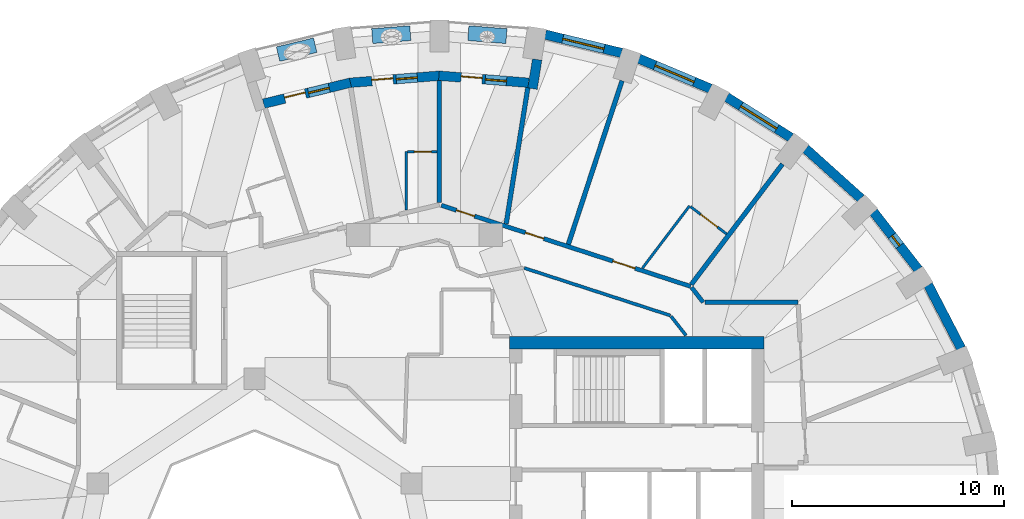
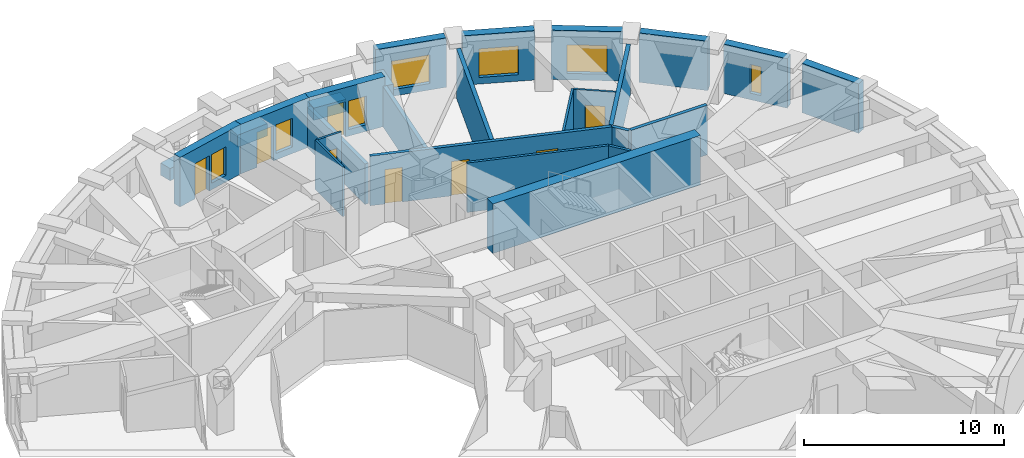
# One storey, part 8 of 12: 27 walls, 8 doors, 7 windows, 15 openings.
"""IFC4 building model written with IfcOpenShell, lengths in metres."""

from ifc_helpers import new_model, si_unit, direction, frame, frame_2d, origin, place, context, subcontext, project, spatial, rectangle, extrude, material, layer, layer_set, constituent, constituent_set, type_object, element, fill, save


model = new_model("IFC4")

# Units and contexts
model_context = context("Model", 3, precision=1e-05, world=origin(), true_north=direction((0.0, 1.0)))
body_context = subcontext(model_context, "Body", "Model", "MODEL_VIEW")
ifc_project = project(units=[si_unit("LENGTHUNIT", "METRE"), si_unit("AREAUNIT", "SQUARE_METRE"), si_unit("VOLUMEUNIT", "CUBIC_METRE"), si_unit("PLANEANGLEUNIT", "RADIAN"), si_unit("MASSUNIT", "GRAM", prefix="KILO")], contexts=[model_context])

# Site, building, storey
site_placement = place(None, origin())
site = spatial("IfcSite", under=ifc_project, at=site_placement, CompositionType="ELEMENT")
building_placement = place(site_placement, origin())
building = spatial("IfcBuilding", under=site, at=building_placement, Name="Taillehof Tower", CompositionType="ELEMENT")
storey_placement = place(building_placement, frame((0.0, 0.0, 218.89990234375)))
storey = spatial("IfcBuildingStorey", under=building, at=storey_placement, Name="L62", CompositionType="ELEMENT", Elevation=218.89990234375)

# Wall
ifc_material_1 = material(Name="Brick masonry", Category="masonry")
ifc_layer_1 = layer(ifc_material_1, 0.449951171875)
ifc_layer_set_1 = layer_set([ifc_layer_1], Name="Brick infill wall 450")
wall_type_1 = type_object("IfcWallType", Name="Brick infill wall 450", PredefinedType="SOLIDWALL", material=ifc_layer_set_1)
wall_1_placement = place(storey_placement, frame((25.278076171875, 9.431640625, 0.0), z_axis=(0.0, 0.0, 1.0), x_axis=(-0.460175500475, 0.887827972505, 0.0)))
element("IfcWall", 1, at=wall_1_placement, inside=storey, type_object=wall_type_1, Name="Brick wall L62 bay 3", PredefinedType="SOLIDWALL", context=body_context, shape_type="SweptSolid", body=[
    extrude(rectangle(XDim=3.37060546875, YDim=0.449951171875, at=frame_2d((1.685302734375, 0.0))), origin(), (0.0, 0.0, 1.0), 3.02001953125),
])

# Wall, opening, window
wall_2_placement = place(storey_placement, frame((23.262939453125, 13.148193359375, 0.0), z_axis=(0.0, 0.0, 1.0), x_axis=(-0.614220816451, 0.789134201919, 0.0)))
wall_2 = element("IfcWall", 2, at=wall_2_placement, inside=storey, type_object=wall_type_1, Name="Brick wall L62 bay 4", PredefinedType="SOLIDWALL", context=body_context, shape_type="SweptSolid", body=[
    extrude(rectangle(XDim=3.437744140625, YDim=0.449951171875, at=frame_2d((1.71875, 0.0))), origin(), (0.0, 0.0, 1.0), 3.02001953125),
])
opening_1_placement = place(wall_2_placement, frame((1.4189453125, 0.0, 0.39990234375)))
opening_1 = element("IfcOpeningElement", 3, at=opening_1_placement, cuts=wall_2, Name="Opening W6", PredefinedType="OPENING", context=body_context, shape_type="SweptSolid", body=[
    extrude(rectangle(XDim=0.60009765625, YDim=1.75, at=frame_2d((0.300048828125, 0.875))), frame((0.0, 0.23486328125, 0.0), z_axis=(0.0, -1.0, 0.0), x_axis=(1.0, 0.0, 0.0)), (0.0, 0.0, 1.0), 0.469970703125),
])
ifc_material_2 = material(Name="Aluminium window frame with clear double glazing", Category="aluminium")
window_type_1 = type_object("IfcWindowType", Name="Slot window 600x1750", PartitioningType="SINGLE_PANEL", PredefinedType="WINDOW", material=ifc_material_2)
window_1_placement = place(opening_1_placement, origin())
window_1 = element("IfcWindow", 4, at=window_1_placement, inside=storey, type_object=window_type_1, Name="W6", OverallHeight=1.75, OverallWidth=0.60009765625, PartitioningType="SINGLE_PANEL", PredefinedType="WINDOW", context=body_context, shape_type="SweptSolid", body=[
    extrude(rectangle(XDim=0.60009765625, YDim=1.75, at=frame_2d((0.300048828125, 0.875))), frame((0.0, 0.034912109375, 0.0), z_axis=(0.0, -1.0, 0.0), x_axis=(1.0, 0.0, 0.0)), (0.0, 0.0, 1.0), 0.06005859375),
])
fill(opening_1, window_1)

# Wall
wall_3_placement = place(storey_placement, frame((20.56494140625, 16.490478515625, 0.0), z_axis=(0.0, 0.0, 1.0), x_axis=(-0.743442727602, 0.668799604348, 0.0)))
element("IfcWall", 5, at=wall_3_placement, inside=storey, type_object=wall_type_1, Name="Brick wall L62 bay 5", PredefinedType="SOLIDWALL", context=body_context, shape_type="SweptSolid", body=[
    extrude(rectangle(XDim=3.5126953125, YDim=0.449951171875, at=frame_2d((1.75634765625, 0.0))), origin(), (0.0, 0.0, 1.0), 3.02001953125),
])

# Wall, opening, window
wall_4_placement = place(storey_placement, frame((17.26708984375, 19.3583984375, 0.0), z_axis=(0.0, 0.0, 1.0), x_axis=(-0.846119146727, 0.532993798783, 0.0)))
wall_4 = element("IfcWall", 6, at=wall_4_placement, inside=storey, type_object=wall_type_1, Name="Brick wall L62 bay 6", PredefinedType="SOLIDWALL", context=body_context, shape_type="SweptSolid", body=[
    extrude(rectangle(XDim=3.586669921875, YDim=0.449951171875, at=frame_2d((1.79345703125, 0.0))), origin(), (0.0, 0.0, 1.0), 3.02001953125),
])
opening_2_placement = place(wall_4_placement, frame((0.79345703125, 0.0, 0.39990234375)))
opening_2 = element("IfcOpeningElement", 7, at=opening_2_placement, cuts=wall_4, Name="Opening W2", PredefinedType="OPENING", context=body_context, shape_type="SweptSolid", body=[
    extrude(rectangle(XDim=2.0, YDim=1.75, at=frame_2d((1.0, 0.875))), frame((0.0, 0.23486328125, 0.0), z_axis=(0.0, -1.0, 0.0), x_axis=(1.0, 0.0, 0.0)), (0.0, 0.0, 1.0), 0.469970703125),
])
ifc_material_3 = material(Name="Aluminium window frame with clear double glazing", Category="aluminium")
window_type_2 = type_object("IfcWindowType", Name="Deep-set window 2000x1750", PartitioningType="SINGLE_PANEL", PredefinedType="WINDOW", material=ifc_material_3)
window_2_placement = place(opening_2_placement, origin())
window_2 = element("IfcWindow", 8, at=window_2_placement, inside=storey, type_object=window_type_2, Name="W2", OverallHeight=1.75, OverallWidth=2.0, PartitioningType="SINGLE_PANEL", PredefinedType="WINDOW", context=body_context, shape_type="SweptSolid", body=[
    extrude(rectangle(XDim=2.0, YDim=1.75, at=frame_2d((1.0, 0.875))), frame((0.0, 0.034912109375, 0.0), z_axis=(0.0, -1.0, 0.0), x_axis=(1.0, 0.0, 0.0)), (0.0, 0.0, 1.0), 0.06005859375),
])
fill(opening_2, window_2)

wall_5_placement = place(storey_placement, frame((13.46923828125, 21.6669921875, 0.0), z_axis=(0.0, 0.0, 1.0), x_axis=(-0.922168222612, 0.386789050006, 0.0)))
wall_5 = element("IfcWall", 9, at=wall_5_placement, inside=storey, type_object=wall_type_1, Name="Brick wall L62 bay 7", PredefinedType="SOLIDWALL", context=body_context, shape_type="SweptSolid", body=[
    extrude(rectangle(XDim=3.65087890625, YDim=0.449951171875, at=frame_2d((1.825439453125, 0.0))), origin(), (0.0, 0.0, 1.0), 3.02001953125),
])
opening_3_placement = place(wall_5_placement, frame((0.825439453125, 0.0, 0.39990234375)))
opening_3 = element("IfcOpeningElement", 10, at=opening_3_placement, cuts=wall_5, Name="Opening W2", PredefinedType="OPENING", context=body_context, shape_type="SweptSolid", body=[
    extrude(rectangle(XDim=2.0, YDim=1.75, at=frame_2d((1.0, 0.875))), frame((0.0, 0.23486328125, 0.0), z_axis=(0.0, -1.0, 0.0), x_axis=(1.0, 0.0, 0.0)), (0.0, 0.0, 1.0), 0.469970703125),
])
window_3_placement = place(opening_3_placement, origin())
window_3 = element("IfcWindow", 11, at=window_3_placement, inside=storey, type_object=window_type_2, Name="W2", OverallHeight=1.75, OverallWidth=2.0, PartitioningType="SINGLE_PANEL", PredefinedType="WINDOW", context=body_context, shape_type="SweptSolid", body=[
    extrude(rectangle(XDim=2.0, YDim=1.75, at=frame_2d((1.0, 0.875))), frame((0.0, 0.034912109375, 0.0), z_axis=(0.0, -1.0, 0.0), x_axis=(1.0, 0.0, 0.0)), (0.0, 0.0, 1.0), 0.06005859375),
])
fill(opening_3, window_3)

wall_6_placement = place(storey_placement, frame((9.285400390625, 23.34716796875, 0.0), z_axis=(0.0, 0.0, 1.0), x_axis=(-0.972173533246, 0.234261864708, 0.0)))
wall_6 = element("IfcWall", 12, at=wall_6_placement, inside=storey, type_object=wall_type_1, Name="Brick wall L62 bay 8", PredefinedType="SOLIDWALL", context=body_context, shape_type="SweptSolid", body=[
    extrude(rectangle(XDim=3.697509765625, YDim=0.449951171875, at=frame_2d((1.8486328125, 0.0))), origin(), (0.0, 0.0, 1.0), 3.02001953125),
])
opening_4_placement = place(wall_6_placement, frame((0.848876953125, 0.0, 0.39990234375)))
opening_4 = element("IfcOpeningElement", 13, at=opening_4_placement, cuts=wall_6, Name="Opening W2", PredefinedType="OPENING", context=body_context, shape_type="SweptSolid", body=[
    extrude(rectangle(XDim=2.0, YDim=1.75, at=frame_2d((1.0, 0.875))), frame((0.0, 0.23486328125, 0.0), z_axis=(0.0, -1.0, 0.0), x_axis=(1.0, 0.0, 0.0)), (0.0, 0.0, 1.0), 0.469970703125),
])
window_4_placement = place(opening_4_placement, origin())
window_4 = element("IfcWindow", 14, at=window_4_placement, inside=storey, type_object=window_type_2, Name="W2", OverallHeight=1.75, OverallWidth=2.0, PartitioningType="SINGLE_PANEL", PredefinedType="WINDOW", context=body_context, shape_type="SweptSolid", body=[
    extrude(rectangle(XDim=2.0, YDim=1.75, at=frame_2d((1.0, 0.875))), frame((0.0, 0.034912109375, 0.0), z_axis=(0.0, -1.0, 0.0), x_axis=(1.0, 0.0, 0.0)), (0.0, 0.0, 1.0), 0.06005859375),
])
fill(opening_4, window_4)

# Wall
wall_7_placement = place(storey_placement, frame((5.308837890625, 23.03857421875, 0.0), z_axis=(0.0, 0.0, 1.0), x_axis=(-0.157189016474, -0.9875685359, 0.0)))
element("IfcWall", 15, at=wall_7_placement, inside=storey, type_object=wall_type_1, Name="Brick reveal L62 pocket 2", PredefinedType="SOLIDWALL", context=body_context, shape_type="SweptSolid", body=[
    extrude(rectangle(XDim=1.39013671875, YDim=0.449951171875, at=frame_2d((0.695068359375, 0.0))), origin(), (0.0, 0.0, 1.0), 2.47021484375),
])

# Wall, openings, door, window
wall_8_placement = place(storey_placement, frame((4.906494140625, 21.9423828125, 0.0), z_axis=(0.0, 0.0, 1.0), x_axis=(-0.996902429846, 0.078648238166, 0.0)))
wall_8 = element("IfcWall", 16, at=wall_8_placement, inside=storey, type_object=wall_type_1, Name="Brick wall L62 pocket bay 9", PredefinedType="SOLIDWALL", context=body_context, shape_type="SweptSolid", body=[
    extrude(rectangle(XDim=4.2373046875, YDim=0.449951171875, at=frame_2d((2.11865234375, 0.0))), origin(), (0.0, 0.0, 1.0), 3.02001953125),
])
opening_5_placement = place(wall_8_placement, frame((1.043701171875, 0.0, 0.39990234375)))
opening_5 = element("IfcOpeningElement", 17, at=opening_5_placement, cuts=wall_8, Name="Opening W5", PredefinedType="OPENING", context=body_context, shape_type="SweptSolid", body=[
    extrude(rectangle(XDim=1.0, YDim=1.75, at=frame_2d((0.5, 0.875))), frame((0.0, 0.23486328125, 0.0), z_axis=(0.0, -1.0, 0.0), x_axis=(1.0, 0.0, 0.0)), (0.0, 0.0, 1.0), 0.469970703125),
])
opening_6_placement = place(wall_8_placement, frame((2.193603515625, 0.0, 0.0)))
opening_6 = element("IfcOpeningElement", 18, at=opening_6_placement, cuts=wall_8, Name="Opening D6291", PredefinedType="OPENING", context=body_context, shape_type="SweptSolid", body=[
    extrude(rectangle(XDim=1.0, YDim=2.14990234375, at=frame_2d((0.5, 1.074951171875))), frame((0.0, 0.23486328125, 0.0), z_axis=(0.0, -1.0, 0.0), x_axis=(1.0, 0.0, 0.0)), (0.0, 0.0, 1.0), 0.469970703125),
])
ifc_material_4 = material(Name="Aluminium door frame with clear double glazing", Category="aluminium")
door_type_1 = type_object("IfcDoorType", Name="Balcony door 1000x2150", OperationType="SINGLE_SWING_RIGHT", PredefinedType="DOOR", material=ifc_material_4)
door_1_placement = place(opening_6_placement, frame((1.0, 0.0, 0.0), z_axis=(0.0, 0.0, 1.0), x_axis=(-1.0, 0.0, 0.0)))
door_1 = element("IfcDoor", 19, at=door_1_placement, inside=storey, type_object=door_type_1, Name="Balcony door L62 bay 9", OperationType="SINGLE_SWING_RIGHT", OverallHeight=2.14990234375, OverallWidth=1.0, PredefinedType="DOOR", context=body_context, shape_type="SweptSolid", body=[
    extrude(rectangle(XDim=1.0, YDim=2.14990234375, at=frame_2d((0.5, 1.074951171875))), frame((0.0, 0.0751953125, 0.0), z_axis=(0.0, -1.0, 0.0), x_axis=(1.0, 0.0, 0.0)), (0.0, 0.0, 1.0), 0.050048828125),
])
fill(opening_6, door_1)
ifc_material_5 = material(Name="Aluminium window frame with clear double glazing", Category="aluminium")
window_type_3 = type_object("IfcWindowType", Name="Fixed window 1000x1750", PartitioningType="SINGLE_PANEL", PredefinedType="WINDOW", material=ifc_material_5)
window_5_placement = place(opening_5_placement, origin())
window_5 = element("IfcWindow", 20, at=window_5_placement, inside=storey, type_object=window_type_3, Name="W5", OverallHeight=1.75, OverallWidth=1.0, PartitioningType="SINGLE_PANEL", PredefinedType="WINDOW", context=body_context, shape_type="SweptSolid", body=[
    extrude(rectangle(XDim=1.0, YDim=1.75, at=frame_2d((0.5, 0.875))), frame((0.0, 0.034912109375, 0.0), z_axis=(0.0, -1.0, 0.0), x_axis=(1.0, 0.0, 0.0)), (0.0, 0.0, 1.0), 0.06005859375),
])
fill(opening_5, window_5)

wall_9_placement = place(storey_placement, frame((0.7177734375, 22.275634765625, 0.0), z_axis=(0.0, 0.0, 1.0), x_axis=(-0.996901346333, -0.078661970983, 0.0)))
wall_9 = element("IfcWall", 21, at=wall_9_placement, inside=storey, type_object=wall_type_1, Name="Brick wall L62 pocket bay 10", PredefinedType="SOLIDWALL", context=body_context, shape_type="SweptSolid", body=[
    extrude(rectangle(XDim=4.255126953125, YDim=0.449951171875, at=frame_2d((2.12744140625, 0.0))), origin(), (0.0, 0.0, 1.0), 3.02001953125),
])
opening_7_placement = place(wall_9_placement, frame((1.052490234375, 0.0, 0.39990234375)))
opening_7 = element("IfcOpeningElement", 22, at=opening_7_placement, cuts=wall_9, Name="Opening W5", PredefinedType="OPENING", context=body_context, shape_type="SweptSolid", body=[
    extrude(rectangle(XDim=1.0, YDim=1.75, at=frame_2d((0.5, 0.875))), frame((0.0, 0.23486328125, 0.0), z_axis=(0.0, -1.0, 0.0), x_axis=(1.0, 0.0, 0.0)), (0.0, 0.0, 1.0), 0.469970703125),
])
opening_8_placement = place(wall_9_placement, frame((2.20263671875, 0.0, 0.0)))
opening_8 = element("IfcOpeningElement", 23, at=opening_8_placement, cuts=wall_9, Name="Opening D6292", PredefinedType="OPENING", context=body_context, shape_type="SweptSolid", body=[
    extrude(rectangle(XDim=1.0, YDim=2.14990234375, at=frame_2d((0.5, 1.074951171875))), frame((0.0, 0.23486328125, 0.0), z_axis=(0.0, -1.0, 0.0), x_axis=(1.0, 0.0, 0.0)), (0.0, 0.0, 1.0), 0.469970703125),
])
door_2_placement = place(opening_8_placement, frame((1.0, 0.0, 0.0), z_axis=(0.0, 0.0, 1.0), x_axis=(-1.0, 0.0, 0.0)))
door_2 = element("IfcDoor", 24, at=door_2_placement, inside=storey, type_object=door_type_1, Name="Balcony door L62 bay 10", OperationType="SINGLE_SWING_LEFT", OverallHeight=2.14990234375, OverallWidth=1.0, PredefinedType="DOOR", context=body_context, shape_type="SweptSolid", body=[
    extrude(rectangle(XDim=1.0, YDim=2.14990234375, at=frame_2d((0.5, 1.074951171875))), frame((0.0, 0.0751953125, 0.0), z_axis=(0.0, -1.0, 0.0), x_axis=(1.0, 0.0, 0.0)), (0.0, 0.0, 1.0), 0.050048828125),
])
fill(opening_8, door_2)
window_6_placement = place(opening_7_placement, origin())
window_6 = element("IfcWindow", 25, at=window_6_placement, inside=storey, type_object=window_type_3, Name="W5", OverallHeight=1.75, OverallWidth=1.0, PartitioningType="SINGLE_PANEL", PredefinedType="WINDOW", context=body_context, shape_type="SweptSolid", body=[
    extrude(rectangle(XDim=1.0, YDim=1.75, at=frame_2d((0.5, 0.875))), frame((0.0, 0.034912109375, 0.0), z_axis=(0.0, -1.0, 0.0), x_axis=(1.0, 0.0, 0.0)), (0.0, 0.0, 1.0), 0.06005859375),
])
fill(opening_7, window_6)

wall_10_placement = place(storey_placement, frame((-3.489013671875, 21.946533203125, 0.0), z_axis=(0.0, 0.0, 1.0), x_axis=(-0.972007311035, -0.234950606076, 0.0)))
wall_10 = element("IfcWall", 26, at=wall_10_placement, inside=storey, type_object=wall_type_1, Name="Brick wall L62 pocket bay 11", PredefinedType="SOLIDWALL", context=body_context, shape_type="SweptSolid", body=[
    extrude(rectangle(XDim=4.207275390625, YDim=0.449951171875, at=frame_2d((2.103515625, 0.0))), origin(), (0.0, 0.0, 1.0), 3.02001953125),
])
opening_9_placement = place(wall_10_placement, frame((1.028564453125, 0.0, 0.39990234375)))
opening_9 = element("IfcOpeningElement", 27, at=opening_9_placement, cuts=wall_10, Name="Opening W5", PredefinedType="OPENING", context=body_context, shape_type="SweptSolid", body=[
    extrude(rectangle(XDim=1.0, YDim=1.75, at=frame_2d((0.5, 0.875))), frame((0.0, 0.23486328125, 0.0), z_axis=(0.0, -1.0, 0.0), x_axis=(1.0, 0.0, 0.0)), (0.0, 0.0, 1.0), 0.469970703125),
])
opening_10_placement = place(wall_10_placement, frame((2.1787109375, 0.0, 0.0)))
opening_10 = element("IfcOpeningElement", 28, at=opening_10_placement, cuts=wall_10, Name="Opening D6293", PredefinedType="OPENING", context=body_context, shape_type="SweptSolid", body=[
    extrude(rectangle(XDim=1.0, YDim=2.14990234375, at=frame_2d((0.5, 1.074951171875))), frame((0.0, 0.23486328125, 0.0), z_axis=(0.0, -1.0, 0.0), x_axis=(1.0, 0.0, 0.0)), (0.0, 0.0, 1.0), 0.469970703125),
])
door_3_placement = place(opening_10_placement, frame((1.0, 0.0, 0.0), z_axis=(0.0, 0.0, 1.0), x_axis=(-1.0, 0.0, 0.0)))
door_3 = element("IfcDoor", 29, at=door_3_placement, inside=storey, type_object=door_type_1, Name="Balcony door L62 bay 11", OperationType="SINGLE_SWING_LEFT", OverallHeight=2.14990234375, OverallWidth=1.0, PredefinedType="DOOR", context=body_context, shape_type="SweptSolid", body=[
    extrude(rectangle(XDim=1.0, YDim=2.14990234375, at=frame_2d((0.5, 1.074951171875))), frame((0.0, 0.0751953125, 0.0), z_axis=(0.0, -1.0, 0.0), x_axis=(1.0, 0.0, 0.0)), (0.0, 0.0, 1.0), 0.050048828125),
])
fill(opening_10, door_3)
window_7_placement = place(opening_9_placement, origin())
window_7 = element("IfcWindow", 30, at=window_7_placement, inside=storey, type_object=window_type_3, Name="W5", OverallHeight=1.75, OverallWidth=1.0, PartitioningType="SINGLE_PANEL", PredefinedType="WINDOW", context=body_context, shape_type="SweptSolid", body=[
    extrude(rectangle(XDim=1.0, YDim=1.75, at=frame_2d((0.5, 0.875))), frame((0.0, 0.034912109375, 0.0), z_axis=(0.0, -1.0, 0.0), x_axis=(1.0, 0.0, 0.0)), (0.0, 0.0, 1.0), 0.06005859375),
])
fill(opening_9, window_7)

# Wall, openings, doors
ifc_material_6 = material(Name="Gypsum board on steel studs, two layers each side", Category="steel")
ifc_layer_2 = layer(ifc_material_6, 0.199951171875)
ifc_layer_set_2 = layer_set([ifc_layer_2], Name="Compartment wall corridor 200")
wall_type_2 = type_object("IfcWallType", Name="Compartment wall corridor 200", PredefinedType="PARTITIONING", material=ifc_layer_set_2)
wall_11_placement = place(storey_placement, frame((0.795166015625, 16.16943359375, 0.0), z_axis=(0.0, 0.0, 1.0), x_axis=(0.950998491074, -0.309195520626, 0.0)))
wall_11 = element("IfcWall", 31, at=wall_11_placement, inside=storey, type_object=wall_type_2, Name="Compartment wall", PredefinedType="PARTITIONING", context=body_context, shape_type="SweptSolid", body=[
    extrude(rectangle(XDim=12.357177734375, YDim=0.199951171875, at=frame_2d((6.1787109375, 0.0))), origin(), (0.0, 0.0, 1.0), 3.02001953125),
])
opening_11_placement = place(wall_11_placement, frame((8.49560546875, 0.0, 0.0)))
opening_11 = element("IfcOpeningElement", 32, at=opening_11_placement, cuts=wall_11, Name="Opening D6240", PredefinedType="OPENING", context=body_context, shape_type="SweptSolid", body=[
    extrude(rectangle(XDim=1.10009765625, YDim=2.10009765625, at=frame_2d((0.550048828125, 1.050048828125))), frame((0.0, 0.10986328125, 0.0), z_axis=(0.0, -1.0, 0.0), x_axis=(1.0, 0.0, 0.0)), (0.0, 0.0, 1.0), 0.219970703125),
])
opening_12_placement = place(wall_11_placement, frame((4.1689453125, 0.0, 0.0)))
opening_12 = element("IfcOpeningElement", 33, at=opening_12_placement, cuts=wall_11, Name="Opening D6242", PredefinedType="OPENING", context=body_context, shape_type="SweptSolid", body=[
    extrude(rectangle(XDim=0.89990234375, YDim=2.10009765625, at=frame_2d((0.449951171875, 1.050048828125))), frame((0.0, 0.10986328125, 0.0), z_axis=(0.0, -1.0, 0.0), x_axis=(1.0, 0.0, 0.0)), (0.0, 0.0, 1.0), 0.219970703125),
])
opening_13_placement = place(wall_11_placement, frame((0.746826171875, 0.0, 0.0)))
opening_13 = element("IfcOpeningElement", 34, at=opening_13_placement, cuts=wall_11, Name="Opening D6243", PredefinedType="OPENING", context=body_context, shape_type="SweptSolid", body=[
    extrude(rectangle(XDim=0.89990234375, YDim=2.10009765625, at=frame_2d((0.449951171875, 1.050048828125))), frame((0.0, 0.10986328125, 0.0), z_axis=(0.0, -1.0, 0.0), x_axis=(1.0, 0.0, 0.0)), (0.0, 0.0, 1.0), 0.219970703125),
])
ifc_material_7 = material(Name="Timber door leaf in steel frame", Category="steel")
door_type_2 = type_object("IfcDoorType", Name="Accessible guest room door EI 30 1100 x 2100", OperationType="SINGLE_SWING_LEFT", PredefinedType="DOOR", material=ifc_material_7)
door_4_placement = place(opening_11_placement, origin())
door_4 = element("IfcDoor", 35, at=door_4_placement, inside=storey, type_object=door_type_2, Name="D6240", OperationType="SINGLE_SWING_RIGHT", OverallHeight=2.10009765625, OverallWidth=1.10009765625, PredefinedType="DOOR", context=body_context, shape_type="SweptSolid", body=[
    extrude(rectangle(XDim=1.10009765625, YDim=2.10009765625, at=frame_2d((0.550048828125, 1.050048828125))), frame((0.0, 0.02490234375, 0.0), z_axis=(0.0, -1.0, 0.0), x_axis=(1.0, 0.0, 0.0)), (0.0, 0.0, 1.0), 0.050048828125),
])
fill(opening_11, door_4)
ifc_material_8 = material(Name="Timber door leaf in steel frame", Category="steel")
door_type_3 = type_object("IfcDoorType", Name="Service room door EI 30 900 x 2100", OperationType="SINGLE_SWING_LEFT", PredefinedType="DOOR", material=ifc_material_8)
door_5_placement = place(opening_12_placement, origin())
door_5 = element("IfcDoor", 36, at=door_5_placement, inside=storey, type_object=door_type_3, Name="D6242", OperationType="SINGLE_SWING_LEFT", OverallHeight=2.10009765625, OverallWidth=0.89990234375, PredefinedType="DOOR", context=body_context, shape_type="SweptSolid", body=[
    extrude(rectangle(XDim=0.89990234375, YDim=2.10009765625, at=frame_2d((0.449951171875, 1.050048828125))), frame((0.0, 0.02490234375, 0.0), z_axis=(0.0, -1.0, 0.0), x_axis=(1.0, 0.0, 0.0)), (0.0, 0.0, 1.0), 0.050048828125),
])
fill(opening_12, door_5)
door_6_placement = place(opening_13_placement, origin())
door_6 = element("IfcDoor", 37, at=door_6_placement, inside=storey, type_object=door_type_3, Name="D6243", OperationType="SINGLE_SWING_LEFT", OverallHeight=2.10009765625, OverallWidth=0.89990234375, PredefinedType="DOOR", context=body_context, shape_type="SweptSolid", body=[
    extrude(rectangle(XDim=0.89990234375, YDim=2.10009765625, at=frame_2d((0.449951171875, 1.050048828125))), frame((0.0, 0.02490234375, 0.0), z_axis=(0.0, -1.0, 0.0), x_axis=(1.0, 0.0, 0.0)), (0.0, 0.0, 1.0), 0.050048828125),
])
fill(opening_13, door_6)

# Walls
wall_12_placement = place(storey_placement, frame((12.58349609375, 12.301025390625, 0.0), z_axis=(0.0, 0.0, 1.0), x_axis=(0.616670471626, -0.787221397972, 0.0)))
element("IfcWall", 38, at=wall_12_placement, inside=storey, type_object=wall_type_2, Name="Compartment wall", PredefinedType="PARTITIONING", context=body_context, shape_type="SweptSolid", body=[
    extrude(rectangle(XDim=0.890380859375, YDim=0.199951171875, at=frame_2d((0.4453125, 0.0))), origin(), (0.0, 0.0, 1.0), 3.02001953125),
])
wall_13_placement = place(storey_placement, frame((13.212646484375, 11.60009765625, 0.0), z_axis=(0.0, 0.0, 1.0), x_axis=(1.0, 0.0, 0.0)))
element("IfcWall", 39, at=wall_13_placement, inside=storey, type_object=wall_type_2, Name="Compartment wall", PredefinedType="PARTITIONING", context=body_context, shape_type="SweptSolid", body=[
    extrude(rectangle(XDim=4.387451171875, YDim=0.199951171875, at=frame_2d((2.19384765625, 0.0))), origin(), (0.0, 0.0, 1.0), 3.02001953125),
])
ifc_material_9 = material(Name="Gypsum board on double steel studs with mineral wool", Category="steel")
ifc_layer_3 = layer(ifc_material_9, 0.219970703125)
ifc_layer_set_3 = layer_set([ifc_layer_3], Name="Compartment wall guest room 220")
wall_type_3 = type_object("IfcWallType", Name="Compartment wall guest room 220", PredefinedType="PARTITIONING", material=ifc_layer_set_3)
wall_14_placement = place(storey_placement, frame((16.86328125, 18.112548828125, 0.0), z_axis=(0.0, 0.0, 1.0), x_axis=(-0.603604387564, -0.79728397909, 0.0)))
element("IfcWall", 40, at=wall_14_placement, inside=storey, type_object=wall_type_3, Name="Compartment wall", PredefinedType="PARTITIONING", context=body_context, shape_type="SweptSolid", body=[
    extrude(rectangle(XDim=7.108154296875, YDim=0.219970703125, at=frame_2d((3.55419921875, 0.0))), origin(), (0.0, 0.0, 1.0), 3.02001953125),
])
wall_15_placement = place(storey_placement, frame((9.30712890625, 22.035400390625, 0.0), z_axis=(0.0, 0.0, 1.0), x_axis=(-0.311971255232, -0.950091540805, 0.0)))
element("IfcWall", 41, at=wall_15_placement, inside=storey, type_object=wall_type_3, Name="Compartment wall", PredefinedType="PARTITIONING", context=body_context, shape_type="SweptSolid", body=[
    extrude(rectangle(XDim=8.110595703125, YDim=0.219970703125, at=frame_2d((4.05517578125, 0.0))), origin(), (0.0, 0.0, 1.0), 3.02001953125),
])
wall_16_placement = place(storey_placement, frame((4.87109375, 21.719482421875, 0.0), z_axis=(0.0, 0.0, 1.0), x_axis=(-0.157114215968, -0.98758043882, 0.0)))
element("IfcWall", 42, at=wall_16_placement, inside=storey, type_object=wall_type_3, Name="Compartment wall", PredefinedType="PARTITIONING", context=body_context, shape_type="SweptSolid", body=[
    extrude(rectangle(XDim=6.49853515625, YDim=0.219970703125, at=frame_2d((3.249267578125, 0.0))), origin(), (0.0, 0.0, 1.0), 2.47021484375),
])
wall_17_placement = place(storey_placement, frame((0.699951171875, 22.048583984375, 0.0), z_axis=(0.0, 0.0, 1.0), x_axis=(0.0, -1.0, 0.0)))
element("IfcWall", 43, at=wall_17_placement, inside=storey, type_object=wall_type_3, Name="Compartment wall", PredefinedType="PARTITIONING", context=body_context, shape_type="SweptSolid", body=[
    extrude(rectangle(XDim=5.74853515625, YDim=0.219970703125, at=frame_2d((2.874267578125, 0.0))), origin(), (0.0, 0.0, 1.0), 2.47021484375),
])
ifc_material_10 = material(Name="Gypsum board on steel studs, two layers each side", Category="steel")
ifc_layer_4 = layer(ifc_material_10, 0.14990234375)
ifc_layer_set_4 = layer_set([ifc_layer_4], Name="Compartment wall service room 150")
wall_type_4 = type_object("IfcWallType", Name="Compartment wall service room 150", PredefinedType="PARTITIONING", material=ifc_layer_set_4)
wall_18_placement = place(storey_placement, frame((4.69873046875, 13.2177734375, 0.0), z_axis=(0.0, 0.0, 1.0), x_axis=(0.95099963578, -0.30919199981, 0.0)))
element("IfcWall", 44, at=wall_18_placement, inside=storey, type_object=wall_type_4, Name="Compartment wall", PredefinedType="PARTITIONING", context=body_context, shape_type="SweptSolid", body=[
    extrude(rectangle(XDim=7.243896484375, YDim=0.14990234375, at=frame_2d((3.6220703125, 0.0))), origin(), (0.0, 0.0, 1.0), 3.02001953125),
])
wall_19_placement = place(storey_placement, frame((11.612060546875, 10.9462890625, 0.0), z_axis=(0.0, 0.0, 1.0), x_axis=(0.616228210046, -0.787567643535, 0.0)))
element("IfcWall", 45, at=wall_19_placement, inside=storey, type_object=wall_type_4, Name="Compartment wall", PredefinedType="PARTITIONING", context=body_context, shape_type="SweptSolid", body=[
    extrude(rectangle(XDim=1.1513671875, YDim=0.14990234375, at=frame_2d((0.57568359375, 0.0))), origin(), (0.0, 0.0, 1.0), 3.02001953125),
])
ifc_material_11 = material(Name="Concrete C80/95", Category="concrete")
ifc_layer_5 = layer(ifc_material_11, 0.60009765625)
ifc_layer_set_5 = layer_set([ifc_layer_5], Name="Core wall C80/95 600")
wall_type_5 = type_object("IfcWallType", Name="Core wall C80/95 600", PredefinedType="SHEAR", material=ifc_layer_set_5)
wall_20_placement = place(storey_placement, frame((4.0, 9.699951171875, 0.0), z_axis=(0.0, 0.0, 1.0), x_axis=(1.0, 0.0, 0.0)))
element("IfcWall", 46, at=wall_20_placement, inside=storey, type_object=wall_type_5, Name="Core wall CW06", PredefinedType="SHEAR", context=body_context, shape_type="SweptSolid", body=[
    extrude(rectangle(XDim=12.0, YDim=0.60009765625, at=frame_2d((6.0, 0.0))), origin(), (0.0, 0.0, 1.0), 3.02001953125),
])
ifc_material_12 = material(Name="Gypsum board on steel studs, moisture resistant", Category="steel")
ifc_layer_6 = layer(ifc_material_12, 0.1201171875)
ifc_layer_set_6 = layer_set([ifc_layer_6], Name="En-suite wall 120")
wall_type_6 = type_object("IfcWallType", Name="En-suite wall 120", PredefinedType="PARTITIONING", material=ifc_layer_set_6)
wall_21_placement = place(storey_placement, frame((10.269775390625, 13.2138671875, 0.0), z_axis=(0.0, 0.0, 1.0), x_axis=(0.603632344714, 0.797262812638, 0.0)))
element("IfcWall", 47, at=wall_21_placement, inside=storey, type_object=wall_type_6, Name="En-suite wall", PredefinedType="PARTITIONING", context=body_context, shape_type="SweptSolid", body=[
    extrude(rectangle(XDim=3.671630859375, YDim=0.1201171875, at=frame_2d((1.8359375, 0.0))), origin(), (0.0, 0.0, 1.0), 3.02001953125),
])
wall_22_placement = place(storey_placement, frame((-0.85009765625, 15.9501953125, 0.0), z_axis=(0.0, 0.0, 1.0), x_axis=(0.0, 1.0, 0.0)))
element("IfcWall", 48, at=wall_22_placement, inside=storey, type_object=wall_type_6, Name="En-suite wall", PredefinedType="PARTITIONING", context=body_context, shape_type="SweptSolid", body=[
    extrude(rectangle(XDim=2.749755859375, YDim=0.1201171875, at=frame_2d((1.375, 0.0))), origin(), (0.0, 0.0, 1.0), 3.02001953125),
])

# Wall, opening, door
wall_23_placement = place(storey_placement, frame((12.53369140625, 16.105224609375, 0.0), z_axis=(0.0, 0.0, 1.0), x_axis=(0.797282665226, -0.603606123005, 0.0)))
wall_23 = element("IfcWall", 49, at=wall_23_placement, inside=storey, type_object=wall_type_6, Name="En-suite wall", PredefinedType="PARTITIONING", context=body_context, shape_type="SweptSolid", body=[
    extrude(rectangle(XDim=2.13037109375, YDim=0.1201171875, at=frame_2d((1.065185546875, 0.0))), origin(), (0.0, 0.0, 1.0), 3.02001953125),
])
opening_14_placement = place(wall_23_placement, frame((0.59033203125, 0.0, 0.0)))
opening_14 = element("IfcOpeningElement", 50, at=opening_14_placement, cuts=wall_23, Name="Opening D6241", PredefinedType="OPENING", context=body_context, shape_type="SweptSolid", body=[
    extrude(rectangle(XDim=1.0, YDim=2.10009765625, at=frame_2d((0.5, 1.050048828125))), frame((0.0, 0.070068359375, 0.0), z_axis=(0.0, -1.0, 0.0), x_axis=(1.0, 0.0, 0.0)), (0.0, 0.0, 1.0), 0.14013671875),
])
ifc_material_13 = material(Name="Timber door leaf in steel frame", Category="steel")
door_type_4 = type_object("IfcDoorType", Name="Accessible en-suite door 1000 x 2100", OperationType="SINGLE_SWING_LEFT", PredefinedType="DOOR", material=ifc_material_13)
door_7_placement = place(opening_14_placement, origin())
door_7 = element("IfcDoor", 51, at=door_7_placement, inside=storey, type_object=door_type_4, Name="D6241", OperationType="SINGLE_SWING_RIGHT", OverallHeight=2.10009765625, OverallWidth=1.0, PredefinedType="DOOR", context=body_context, shape_type="SweptSolid", body=[
    extrude(rectangle(XDim=1.0, YDim=2.10009765625, at=frame_2d((0.5, 1.050048828125))), frame((0.0, 0.02490234375, 0.0), z_axis=(0.0, -1.0, 0.0), x_axis=(1.0, 0.0, 0.0)), (0.0, 0.0, 1.0), 0.050048828125),
])
fill(opening_14, door_7)

wall_24_placement = place(storey_placement, frame((-0.7900390625, 18.699951171875, 0.0), z_axis=(0.0, 0.0, 1.0), x_axis=(1.0, 0.0, 0.0)))
wall_24 = element("IfcWall", 52, at=wall_24_placement, inside=storey, type_object=wall_type_6, Name="En-suite wall", PredefinedType="PARTITIONING", context=body_context, shape_type="SweptSolid", body=[
    extrude(rectangle(XDim=1.3798828125, YDim=0.1201171875, at=frame_2d((0.68994140625, 0.0))), origin(), (0.0, 0.0, 1.0), 3.02001953125),
])
opening_15_placement = place(wall_24_placement, frame((0.31494140625, 0.0, 0.0)))
opening_15 = element("IfcOpeningElement", 53, at=opening_15_placement, cuts=wall_24, Name="Opening D6245", PredefinedType="OPENING", context=body_context, shape_type="SweptSolid", body=[
    extrude(rectangle(XDim=0.800048828125, YDim=2.10009765625, at=frame_2d((0.39990234375, 1.050048828125))), frame((0.0, 0.070068359375, 0.0), z_axis=(0.0, -1.0, 0.0), x_axis=(1.0, 0.0, 0.0)), (0.0, 0.0, 1.0), 0.14013671875),
])
ifc_material_14 = material(Name="Timber door leaf in steel frame", Category="steel")
door_type_5 = type_object("IfcDoorType", Name="En-suite door 800 x 2100", OperationType="SINGLE_SWING_LEFT", PredefinedType="DOOR", material=ifc_material_14)
door_8_placement = place(opening_15_placement, origin())
door_8 = element("IfcDoor", 54, at=door_8_placement, inside=storey, type_object=door_type_5, Name="D6245", OperationType="SINGLE_SWING_RIGHT", OverallHeight=2.10009765625, OverallWidth=0.800048828125, PredefinedType="DOOR", context=body_context, shape_type="SweptSolid", body=[
    extrude(rectangle(XDim=0.800048828125, YDim=2.10009765625, at=frame_2d((0.39990234375, 1.050048828125))), frame((0.0, 0.02490234375, 0.0), z_axis=(0.0, -1.0, 0.0), x_axis=(1.0, 0.0, 0.0)), (0.0, 0.0, 1.0), 0.050048828125),
])
fill(opening_15, door_8)

# Walls
ifc_material_15 = material(Name="Concrete C30/37 precast", Category="concrete")
ifc_constituent_1 = constituent(ifc_material_15, Name="Structure", Category="concrete")
ifc_material_16 = material(Name="Insulated lining")
ifc_constituent_2 = constituent(ifc_material_16, Name="Lining")
ifc_constituent_set = constituent_set(constituents=[ifc_constituent_1, ifc_constituent_2], Name="Planter trough 700x750")
wall_type_7 = type_object("IfcWallType", Name="Planter trough 700x750", PredefinedType="USERDEFINED", material=ifc_constituent_set)
for number, where, z_axis, x_axis, name in (
    (55, (3.860595703125, 24.1396484375, 0.0), (0.0, 0.0, 1.0), (-0.996911576184, 0.078532218042, 0.0), "Planter L62 bay 9"),
    (56, (-0.666015625, 24.281005859375, 0.0), (0.0, 0.0, 1.0), (-0.996911576184, -0.078532218042, 0.0), "Planter L62 bay 10"),
):
    element("IfcWall", number, at=place(storey_placement, frame(where, z_axis=z_axis, x_axis=x_axis)), inside=storey, type_object=wall_type_7, Name=name, ObjectType="PLANTER", PredefinedType="USERDEFINED", context=body_context, shape_type="SweptSolid", body=[
        extrude(rectangle(XDim=1.800048828125, YDim=0.699951171875, at=frame_2d((0.89990234375, 0.0))), origin(), (0.0, 0.0, 1.0), 0.75),
    ])
wall_25_placement = place(storey_placement, frame((-5.146484375, 23.714111328125, 0.0), z_axis=(0.0, 0.0, 1.0), x_axis=(-0.972142986016, -0.234388597717, 0.0)))
element("IfcWall", 57, at=wall_25_placement, inside=storey, type_object=wall_type_7, Name="Planter L62 bay 11", ObjectType="PLANTER", PredefinedType="USERDEFINED", context=body_context, shape_type="SweptSolid", body=[
    extrude(rectangle(XDim=1.7998046875, YDim=0.699951171875, at=frame_2d((0.89990234375, 0.0))), origin(), (0.0, 0.0, 1.0), 0.75),
])

save(model, "model.ifc")
